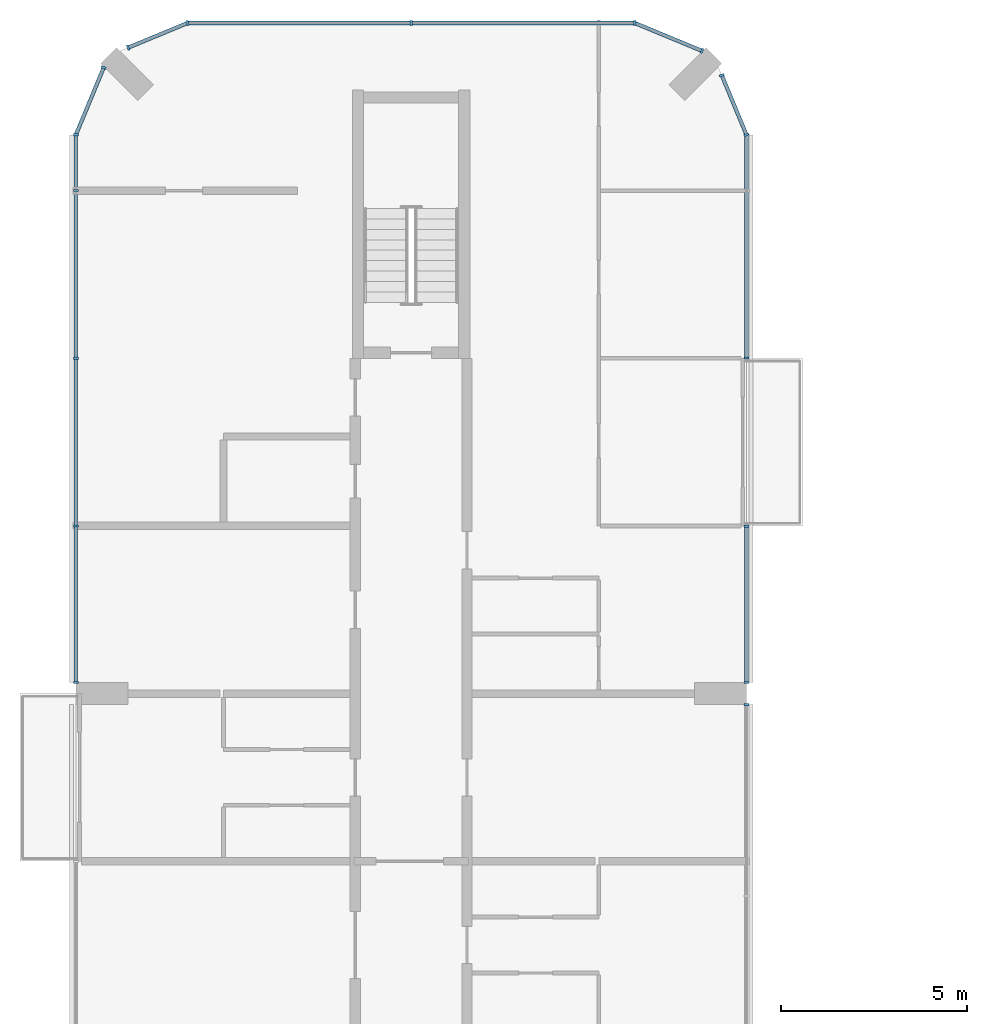
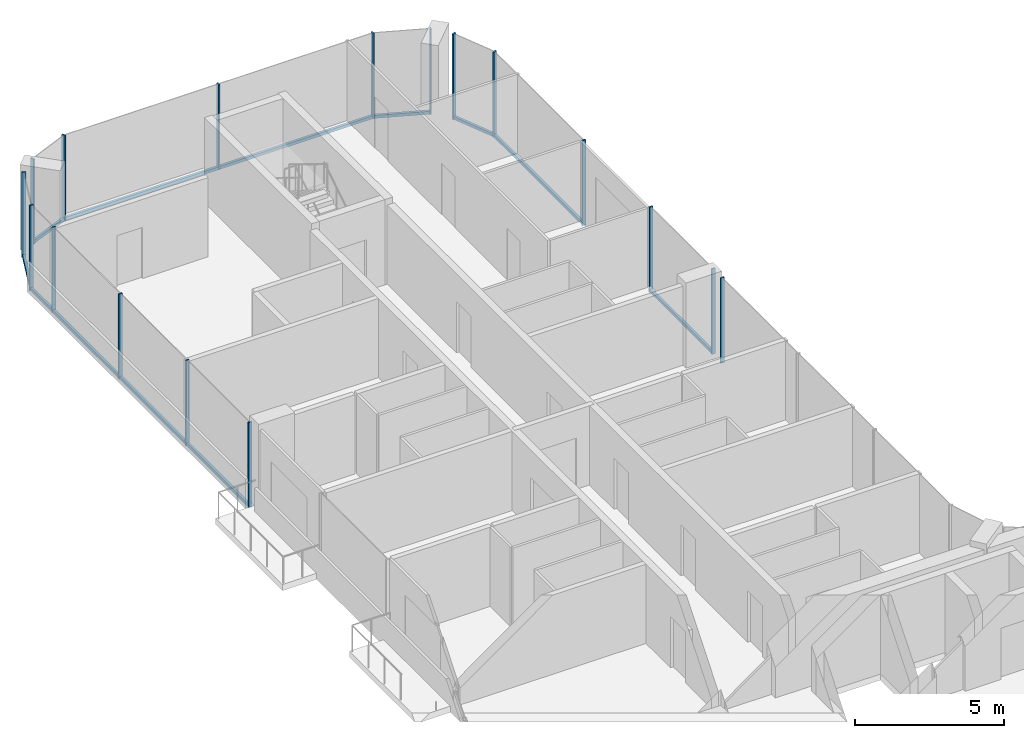
# One storey, part 7 of 16: 25 members, 9 elements without a shape of their own.
"""IFC4 building model written with IfcOpenShell, lengths in metres."""

from ifc_helpers import new_model, si_unit, direction, frame, origin, origin_2d, place, context, subcontext, project, spatial, rectangle, extrude, material, layer, layer_set, material_profile, profile_set, type_object, element, aggregate, save


model = new_model("IFC4")

# Units and contexts
model_context = context("Model", 3, precision=1e-05, world=origin(), true_north=direction((0.0, 1.0)))
body_context = subcontext(model_context, "Body", "Model", "MODEL_VIEW")
ifc_project = project(units=[si_unit("LENGTHUNIT", "METRE"), si_unit("AREAUNIT", "SQUARE_METRE"), si_unit("VOLUMEUNIT", "CUBIC_METRE"), si_unit("PLANEANGLEUNIT", "RADIAN"), si_unit("MASSUNIT", "GRAM", prefix="KILO")], contexts=[model_context])

# Site, building, storey
site_placement = place(None, origin())
site = spatial("IfcSite", under=ifc_project, at=site_placement, CompositionType="ELEMENT")
building_placement = place(site_placement, origin())
building = spatial("IfcBuilding", under=site, at=building_placement, Name="Plateau Cross Towers", CompositionType="ELEMENT")
storey_placement = place(building_placement, frame((0.0, 0.0, 211.89990234375)))
storey = spatial("IfcBuildingStorey", under=building, at=storey_placement, Name="L55", CompositionType="ELEMENT", Elevation=211.89990234375)

# Curtain wall, member
ifc_material_1 = material(Name="Dark low-iron glass", Category="glass")
ifc_layer = layer(ifc_material_1, 0.239990234375)
ifc_layer_set = layer_set([ifc_layer], Name="Dark low-iron glass")
curtain_wall_type = type_object("IfcCurtainWallType", Name="Curtain wall flush unitised CW-B", PredefinedType="NOTDEFINED", material=ifc_layer_set)
curtain_wall_1_placement = place(storey_placement, origin())
curtain_wall_1 = element("IfcCurtainWall", 1, at=curtain_wall_1_placement, inside=storey, type_object=curtain_wall_type, Name="ENV/A/L55/A180_203", PredefinedType="NOTDEFINED")
ifc_material_2 = material(Name="Black anodised aluminium", Category="aluminium")
ifc_material_profile_1 = material_profile(ifc_material_2, rectangle(XDim=0.06005859375, YDim=0.139892578125, at=origin_2d()), Name="MULLION 60x140")
ifc_profile_set_1 = profile_set([ifc_material_profile_1], Name="Black anodised aluminium")
member_type_1 = type_object("IfcMemberType", Name="Mullion 60x140 flush unitised", PredefinedType="MULLION", material=ifc_profile_set_1)
member_1_placement = place(storey_placement, frame((18.0, 35.699951171875, -0.25), z_axis=(0.0, 0.0, 1.0), x_axis=(0.0, 1.0, 0.0)))
member_1 = element("IfcMember", 2, at=member_1_placement, type_object=member_type_1, Name="CW-B mullion 4", PredefinedType="MULLION", context=body_context, shape_type="SweptSolid", body=[
    extrude(rectangle(XDim=0.06005859375, YDim=0.139892578125, at=origin_2d()), origin(), (0.0, 0.0, 1.0), 3.5),
])
aggregate(curtain_wall_1, [member_1])

# Curtain wall, members
curtain_wall_2_placement = place(storey_placement, origin())
curtain_wall_2 = element("IfcCurtainWall", 3, at=curtain_wall_2_placement, inside=storey, type_object=curtain_wall_type, Name="ENV/A/L55/A180_363", PredefinedType="NOTDEFINED")
member_2_placement = place(storey_placement, frame((18.0, 36.300048828125, -0.25), z_axis=(0.0, 0.0, 1.0), x_axis=(0.0, 1.0, 0.0)))
member_2 = element("IfcMember", 4, at=member_2_placement, type_object=member_type_1, Name="CW-B mullion 1", PredefinedType="MULLION", context=body_context, shape_type="SweptSolid", body=[
    extrude(rectangle(XDim=0.06005859375, YDim=0.139892578125, at=origin_2d()), origin(), (0.0, 0.0, 1.0), 3.5),
])
member_3_placement = place(storey_placement, frame((18.0, 40.489990234375, -0.25), z_axis=(0.0, 0.0, 1.0), x_axis=(0.0, 1.0, 0.0)))
member_3 = element("IfcMember", 5, at=member_3_placement, type_object=member_type_1, Name="CW-B mullion 2", PredefinedType="MULLION", context=body_context, shape_type="SweptSolid", body=[
    extrude(rectangle(XDim=0.06005859375, YDim=0.139892578125, at=origin_2d()), origin(), (0.0, 0.0, 1.0), 3.5),
])

# Curtain wall, member
curtain_wall_3_placement = place(storey_placement, origin())
curtain_wall_3 = element("IfcCurtainWall", 6, at=curtain_wall_3_placement, inside=storey, type_object=curtain_wall_type, Name="ENV/A/L55/A180_450", PredefinedType="NOTDEFINED")
member_4_placement = place(storey_placement, frame((18.0, 45.010009765625, -0.25), z_axis=(0.0, 0.0, 1.0), x_axis=(0.0, 1.0, 0.0)))
member_4 = element("IfcMember", 7, at=member_4_placement, type_object=member_type_1, Name="CW-B mullion 1", PredefinedType="MULLION", context=body_context, shape_type="SweptSolid", body=[
    extrude(rectangle(XDim=0.06005859375, YDim=0.139892578125, at=origin_2d()), origin(), (0.0, 0.0, 1.0), 3.5),
])

# Curtain wall, members
curtain_wall_4_placement = place(storey_placement, origin())
curtain_wall_4 = element("IfcCurtainWall", 8, at=curtain_wall_4_placement, inside=storey, type_object=curtain_wall_type, Name="ENV/A/L55/A180_510", PredefinedType="NOTDEFINED")
member_5_placement = place(storey_placement, frame((18.0, 51.0, -0.25), z_axis=(0.0, 0.0, 1.0), x_axis=(-0.382683612978, 0.923879457699, 0.0)))
member_5 = element("IfcMember", 9, at=member_5_placement, type_object=member_type_1, Name="CW-B mullion 1", PredefinedType="MULLION", context=body_context, shape_type="SweptSolid", body=[
    extrude(rectangle(XDim=0.06005859375, YDim=0.139892578125, at=origin_2d()), origin(), (0.0, 0.0, 1.0), 3.5),
])
member_6_placement = place(storey_placement, frame((17.338623046875, 52.5966796875, -0.25), z_axis=(0.0, 0.0, 1.0), x_axis=(-0.382683612978, 0.923879457699, 0.0)))
member_6 = element("IfcMember", 10, at=member_6_placement, type_object=member_type_1, Name="CW-B mullion 2", PredefinedType="MULLION", context=body_context, shape_type="SweptSolid", body=[
    extrude(rectangle(XDim=0.06005859375, YDim=0.139892578125, at=origin_2d()), origin(), (0.0, 0.0, 1.0), 3.5),
])

# Curtain wall, member
curtain_wall_5_placement = place(storey_placement, origin())
curtain_wall_5 = element("IfcCurtainWall", 11, at=curtain_wall_5_placement, inside=storey, type_object=curtain_wall_type, Name="ENV/A/L55/A168_533", PredefinedType="NOTDEFINED")
member_7_placement = place(storey_placement, frame((16.805908203125, 53.251953125, -0.25), z_axis=(0.0, 0.0, 1.0), x_axis=(-0.923879457699, 0.382683612978, 0.0)))
member_7 = element("IfcMember", 12, at=member_7_placement, type_object=member_type_1, Name="CW-B mullion 1", PredefinedType="MULLION", context=body_context, shape_type="SweptSolid", body=[
    extrude(rectangle(XDim=0.06005859375, YDim=0.139892578125, at=origin_2d()), origin(), (0.0, 0.0, 1.0), 3.5),
])

# Curtain wall, members
curtain_wall_6_placement = place(storey_placement, origin())
curtain_wall_6 = element("IfcCurtainWall", 13, at=curtain_wall_6_placement, inside=storey, type_object=curtain_wall_type, Name="ENV/A/L55/A150_540", PredefinedType="NOTDEFINED")
member_8_placement = place(storey_placement, frame((15.0, 54.0, -0.25), z_axis=(0.0, 0.0, 1.0), x_axis=(-1.0, 0.0, 0.0)))
member_8 = element("IfcMember", 14, at=member_8_placement, type_object=member_type_1, Name="CW-B mullion 1", PredefinedType="MULLION", context=body_context, shape_type="SweptSolid", body=[
    extrude(rectangle(XDim=0.06005859375, YDim=0.139892578125, at=origin_2d()), origin(), (0.0, 0.0, 1.0), 3.5),
])
member_9_placement = place(storey_placement, frame((9.0, 54.0, -0.25), z_axis=(0.0, 0.0, 1.0), x_axis=(-1.0, 0.0, 0.0)))
member_9 = element("IfcMember", 15, at=member_9_placement, type_object=member_type_1, Name="CW-B mullion 2", PredefinedType="MULLION", context=body_context, shape_type="SweptSolid", body=[
    extrude(rectangle(XDim=0.06005859375, YDim=0.139892578125, at=origin_2d()), origin(), (0.0, 0.0, 1.0), 3.5),
])

curtain_wall_7_placement = place(storey_placement, origin())
curtain_wall_7 = element("IfcCurtainWall", 16, at=curtain_wall_7_placement, inside=storey, type_object=curtain_wall_type, Name="ENV/A/L55/A30_540", PredefinedType="NOTDEFINED")
member_10_placement = place(storey_placement, frame((3.0, 54.0, -0.25), z_axis=(0.0, 0.0, 1.0), x_axis=(-0.923879457699, -0.382683612978, 0.0)))
member_10 = element("IfcMember", 17, at=member_10_placement, type_object=member_type_1, Name="CW-B mullion 1", PredefinedType="MULLION", context=body_context, shape_type="SweptSolid", body=[
    extrude(rectangle(XDim=0.06005859375, YDim=0.139892578125, at=origin_2d()), origin(), (0.0, 0.0, 1.0), 3.5),
])
member_11_placement = place(storey_placement, frame((1.4033203125, 53.338623046875, -0.25), z_axis=(0.0, 0.0, 1.0), x_axis=(-0.923879457699, -0.382683612978, 0.0)))
member_11 = element("IfcMember", 18, at=member_11_placement, type_object=member_type_1, Name="CW-B mullion 2", PredefinedType="MULLION", context=body_context, shape_type="SweptSolid", body=[
    extrude(rectangle(XDim=0.06005859375, YDim=0.139892578125, at=origin_2d()), origin(), (0.0, 0.0, 1.0), 3.5),
])

# Curtain wall, member
curtain_wall_8_placement = place(storey_placement, origin())
curtain_wall_8 = element("IfcCurtainWall", 19, at=curtain_wall_8_placement, inside=storey, type_object=curtain_wall_type, Name="ENV/A/L55/A7_528", PredefinedType="NOTDEFINED")
member_12_placement = place(storey_placement, frame((0.748046875, 52.805908203125, -0.25), z_axis=(0.0, 0.0, 1.0), x_axis=(-0.382683612978, -0.923879457699, 0.0)))
member_12 = element("IfcMember", 20, at=member_12_placement, type_object=member_type_1, Name="CW-B mullion 1", PredefinedType="MULLION", context=body_context, shape_type="SweptSolid", body=[
    extrude(rectangle(XDim=0.06005859375, YDim=0.139892578125, at=origin_2d()), origin(), (0.0, 0.0, 1.0), 3.5),
])

# Curtain wall, members
curtain_wall_9_placement = place(storey_placement, origin())
curtain_wall_9 = element("IfcCurtainWall", 21, at=curtain_wall_9_placement, inside=storey, type_object=curtain_wall_type, Name="ENV/A/L55/A0_510", PredefinedType="NOTDEFINED")
member_13_placement = place(storey_placement, frame((0.0, 51.0, -0.25), z_axis=(0.0, 0.0, 1.0), x_axis=(0.0, -1.0, 0.0)))
member_13 = element("IfcMember", 22, at=member_13_placement, type_object=member_type_1, Name="CW-B mullion 1", PredefinedType="MULLION", context=body_context, shape_type="SweptSolid", body=[
    extrude(rectangle(XDim=0.06005859375, YDim=0.139892578125, at=origin_2d()), origin(), (0.0, 0.0, 1.0), 3.5),
])
member_14_placement = place(storey_placement, frame((0.0, 49.5, -0.25), z_axis=(0.0, 0.0, 1.0), x_axis=(0.0, -1.0, 0.0)))
member_14 = element("IfcMember", 23, at=member_14_placement, type_object=member_type_1, Name="CW-B mullion 2", PredefinedType="MULLION", context=body_context, shape_type="SweptSolid", body=[
    extrude(rectangle(XDim=0.06005859375, YDim=0.139892578125, at=origin_2d()), origin(), (0.0, 0.0, 1.0), 3.5),
])
member_15_placement = place(storey_placement, frame((0.0, 45.0, -0.25), z_axis=(0.0, 0.0, 1.0), x_axis=(0.0, -1.0, 0.0)))
member_15 = element("IfcMember", 24, at=member_15_placement, type_object=member_type_1, Name="CW-B mullion 3", PredefinedType="MULLION", context=body_context, shape_type="SweptSolid", body=[
    extrude(rectangle(XDim=0.06005859375, YDim=0.139892578125, at=origin_2d()), origin(), (0.0, 0.0, 1.0), 3.5),
])
member_16_placement = place(storey_placement, frame((0.0, 40.5, -0.25), z_axis=(0.0, 0.0, 1.0), x_axis=(0.0, -1.0, 0.0)))
member_16 = element("IfcMember", 25, at=member_16_placement, type_object=member_type_1, Name="CW-B mullion 4", PredefinedType="MULLION", context=body_context, shape_type="SweptSolid", body=[
    extrude(rectangle(XDim=0.06005859375, YDim=0.139892578125, at=origin_2d()), origin(), (0.0, 0.0, 1.0), 3.5),
])
member_17_placement = place(storey_placement, frame((0.0, 36.300048828125, -0.25), z_axis=(0.0, 0.0, 1.0), x_axis=(0.0, -1.0, 0.0)))
member_17 = element("IfcMember", 26, at=member_17_placement, type_object=member_type_1, Name="CW-B mullion 5", PredefinedType="MULLION", context=body_context, shape_type="SweptSolid", body=[
    extrude(rectangle(XDim=0.06005859375, YDim=0.139892578125, at=origin_2d()), origin(), (0.0, 0.0, 1.0), 3.5),
])

# Member
ifc_material_profile_2 = material_profile(ifc_material_2, rectangle(XDim=0.10009765625, YDim=0.1201171875, at=origin_2d()), Name="TRANSOM 100x120")
ifc_profile_set_2 = profile_set([ifc_material_profile_2], Name="Black anodised aluminium")
member_type_2 = type_object("IfcMemberType", Name="Transom 100x120 flush unitised", PredefinedType="USERDEFINED", material=ifc_profile_set_2)
member_18_placement = place(storey_placement, frame((18.0, 36.300048828125, -0.18994140625), z_axis=(0.0, 1.0, 0.0), x_axis=(-1.0, 0.0, 0.0)))
member_18 = element("IfcMember", 27, at=member_18_placement, type_object=member_type_2, Name="CW-B transom", ObjectType="TRANSOM", PredefinedType="USERDEFINED", context=body_context, shape_type="SweptSolid", body=[
    extrude(rectangle(XDim=0.10009765625, YDim=0.1201171875, at=origin_2d()), origin(), (0.0, 0.0, 1.0), 4.18994140625),
])

aggregate(curtain_wall_2, [member_2, member_3, member_18])

member_19_placement = place(storey_placement, frame((18.0, 45.010009765625, -0.18994140625), z_axis=(0.0, 1.0, 0.0), x_axis=(-1.0, 0.0, 0.0)))
member_19 = element("IfcMember", 28, at=member_19_placement, type_object=member_type_2, Name="CW-B transom", ObjectType="TRANSOM", PredefinedType="USERDEFINED", context=body_context, shape_type="SweptSolid", body=[
    extrude(rectangle(XDim=0.10009765625, YDim=0.1201171875, at=origin_2d()), origin(), (0.0, 0.0, 1.0), 5.989990234375),
])

aggregate(curtain_wall_3, [member_4, member_19])

member_20_placement = place(storey_placement, frame((18.0, 51.0, -0.18994140625), z_axis=(-0.382688653628, 0.923877369776, 0.0), x_axis=(-0.923877369776, -0.382688653628, 0.0)))
member_20 = element("IfcMember", 29, at=member_20_placement, type_object=member_type_2, Name="CW-B transom", ObjectType="TRANSOM", PredefinedType="USERDEFINED", context=body_context, shape_type="SweptSolid", body=[
    extrude(rectangle(XDim=0.10009765625, YDim=0.1201171875, at=origin_2d()), origin(), (0.0, 0.0, 1.0), 1.728271484375),
])

aggregate(curtain_wall_4, [member_5, member_6, member_20])

member_21_placement = place(storey_placement, frame((16.805908203125, 53.251953125, -0.18994140625), z_axis=(-0.92387678234, 0.382690071798, 0.0), x_axis=(-0.382690071798, -0.92387678234, 0.0)))
member_21 = element("IfcMember", 30, at=member_21_placement, type_object=member_type_2, Name="CW-B transom", ObjectType="TRANSOM", PredefinedType="USERDEFINED", context=body_context, shape_type="SweptSolid", body=[
    extrude(rectangle(XDim=0.10009765625, YDim=0.1201171875, at=origin_2d()), origin(), (0.0, 0.0, 1.0), 1.95458984375),
])

aggregate(curtain_wall_5, [member_7, member_21])

member_22_placement = place(storey_placement, frame((15.0, 54.0, -0.18994140625), z_axis=(-1.0, 0.0, 0.0), x_axis=(0.0, -1.0, 0.0)))
member_22 = element("IfcMember", 31, at=member_22_placement, type_object=member_type_2, Name="CW-B transom", ObjectType="TRANSOM", PredefinedType="USERDEFINED", context=body_context, shape_type="SweptSolid", body=[
    extrude(rectangle(XDim=0.10009765625, YDim=0.1201171875, at=origin_2d()), origin(), (0.0, 0.0, 1.0), 12.0),
])

aggregate(curtain_wall_6, [member_8, member_9, member_22])

member_23_placement = place(storey_placement, frame((3.0, 54.0, -0.18994140625), z_axis=(-0.923877369776, -0.382688653628, 0.0), x_axis=(0.382688653628, -0.923877369776, 0.0)))
member_23 = element("IfcMember", 32, at=member_23_placement, type_object=member_type_2, Name="CW-B transom", ObjectType="TRANSOM", PredefinedType="USERDEFINED", context=body_context, shape_type="SweptSolid", body=[
    extrude(rectangle(XDim=0.10009765625, YDim=0.1201171875, at=origin_2d()), origin(), (0.0, 0.0, 1.0), 1.728271484375),
])

aggregate(curtain_wall_7, [member_10, member_11, member_23])

member_24_placement = place(storey_placement, frame((0.748046875, 52.805908203125, -0.18994140625), z_axis=(-0.382690071798, -0.92387678234, 0.0), x_axis=(0.92387678234, -0.382690071798, 0.0)))
member_24 = element("IfcMember", 33, at=member_24_placement, type_object=member_type_2, Name="CW-B transom", ObjectType="TRANSOM", PredefinedType="USERDEFINED", context=body_context, shape_type="SweptSolid", body=[
    extrude(rectangle(XDim=0.10009765625, YDim=0.1201171875, at=origin_2d()), origin(), (0.0, 0.0, 1.0), 1.95458984375),
])

aggregate(curtain_wall_8, [member_12, member_24])

member_25_placement = place(storey_placement, frame((0.0, 51.0, -0.18994140625), z_axis=(0.0, -1.0, 0.0), x_axis=(1.0, 0.0, 0.0)))
member_25 = element("IfcMember", 34, at=member_25_placement, type_object=member_type_2, Name="CW-B transom", ObjectType="TRANSOM", PredefinedType="USERDEFINED", context=body_context, shape_type="SweptSolid", body=[
    extrude(rectangle(XDim=0.10009765625, YDim=0.1201171875, at=origin_2d()), origin(), (0.0, 0.0, 1.0), 14.699951171875),
])

aggregate(curtain_wall_9, [member_13, member_14, member_15, member_16, member_17, member_25])

save(model, "model.ifc")
